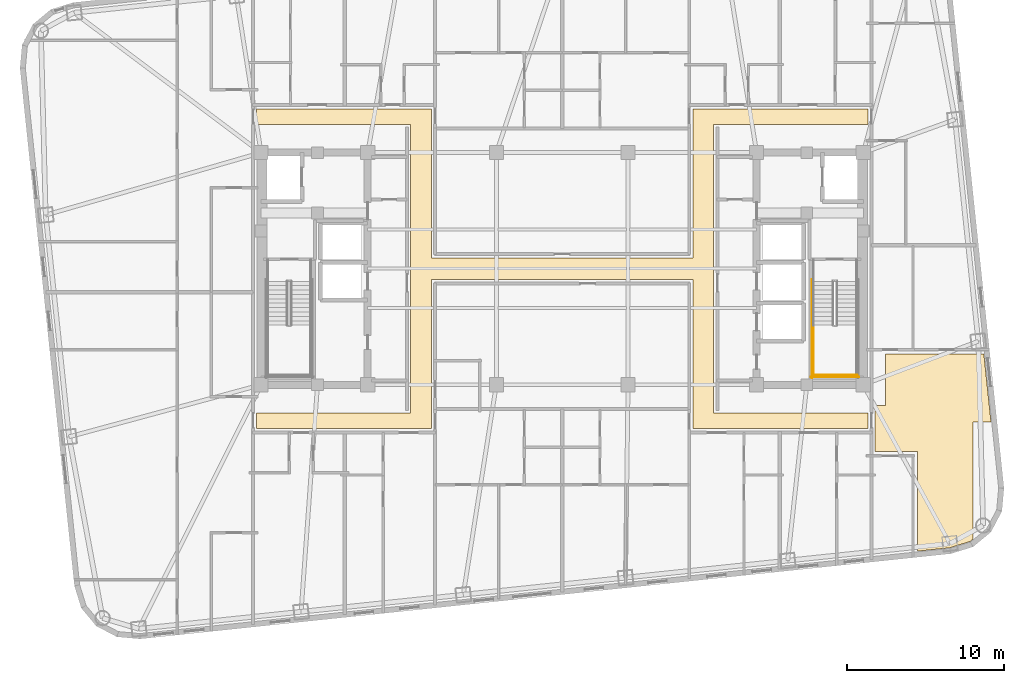
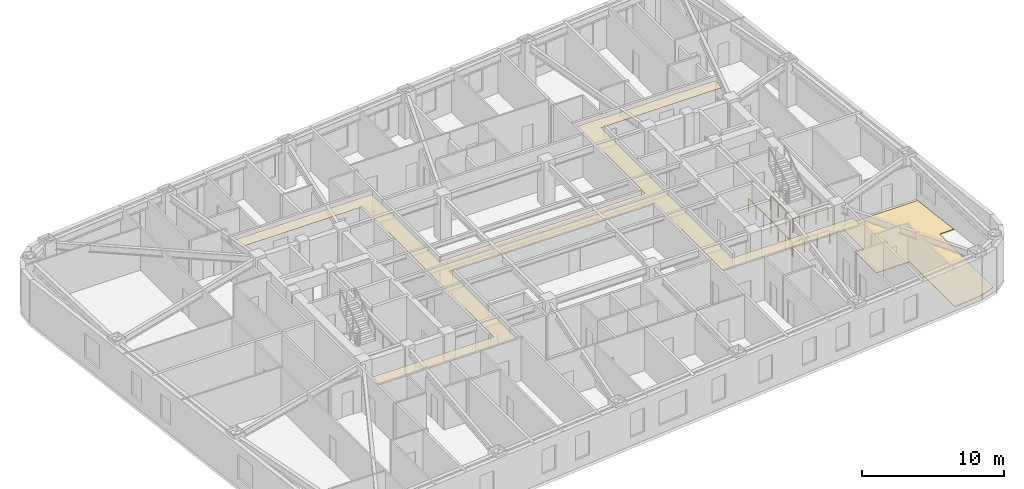
# One storey, part 11 of 12: 4 railings, 2 coverings.
"""IFC4 building model written with IfcOpenShell, lengths in metres."""

from ifc_helpers import new_model, si_unit, direction, frame, origin, origin_2d, place, context, subcontext, project, spatial, polyline, circle, outline, extrude, material, layer, layer_set, type_object, element, save


model = new_model("IFC4")

# Units and contexts
model_context = context("Model", 3, precision=1e-05, world=origin(), true_north=direction((0.0, 1.0)))
body_context = subcontext(model_context, "Body", "Model", "MODEL_VIEW")
ifc_project = project(units=[si_unit("LENGTHUNIT", "METRE"), si_unit("AREAUNIT", "SQUARE_METRE"), si_unit("VOLUMEUNIT", "CUBIC_METRE"), si_unit("PLANEANGLEUNIT", "RADIAN"), si_unit("MASSUNIT", "GRAM", prefix="KILO")], contexts=[model_context])

# Site, building, storey
site_placement = place(None, origin())
site = spatial("IfcSite", under=ifc_project, at=site_placement, CompositionType="ELEMENT")
building_placement = place(site_placement, origin())
building = spatial("IfcBuilding", under=site, at=building_placement, Name="Voryun Gate Residences", CompositionType="ELEMENT")
storey_placement = place(building_placement, frame((0.0, 0.0, 159.89990234375)))
storey = spatial("IfcBuildingStorey", under=building, at=storey_placement, Name="L39", CompositionType="ELEMENT", Elevation=159.89990234375)

# Coverings
ifc_material_1 = material(Name="Gypsum acoustic ceiling")
ifc_layer_1 = layer(ifc_material_1, 0.02490234375, Name="COV_CEILING_ACOUSTIC")
ifc_layer_set_1 = layer_set([ifc_layer_1], Name="Gypsum acoustic ceiling")
covering_type_1 = type_object("IfcCoveringType", Name="COV_CEILING_ACOUSTIC", PredefinedType="CEILING", material=ifc_layer_set_1)
covering_1_placement = place(storey_placement, frame((0.0, 0.0, 3.400146484375)))
element("IfcCovering", 1, at=covering_1_placement, inside=storey, type_object=covering_type_1, Name="Acoustic ceiling CLG-L39-01", PredefinedType="CEILING", context=body_context, shape_type="SweptSolid", body=[
    extrude(outline(polyline([(-9.659912109375, 9.199951171875), (-19.489990234375, 9.199951171875), (-19.489990234375, 10.179931640625), (-8.340087890625, 10.179931640625), (-8.340087890625, 0.699951171875), (8.340087890625, 0.699951171875), (8.340087890625, 10.179931640625), (19.489990234375, 10.179931640625), (19.489990234375, 9.199951171875), (9.659912109375, 9.199951171875), (9.659912109375, -9.199951171875), (19.489990234375, -9.199951171875), (19.489990234375, -10.179931640625), (8.340087890625, -10.179931640625), (8.340087890625, -0.699951171875), (-8.340087890625, -0.699951171875), (-8.340087890625, -10.179931640625), (-19.489990234375, -10.179931640625), (-19.489990234375, -9.199951171875), (-9.659912109375, -9.199951171875), (-9.659912109375, 9.199951171875)])), origin(), (0.0, 0.0, 1.0), 0.02490234375),
])
ifc_material_2 = material(Name="Architectural oak flooring")
ifc_layer_2 = layer(ifc_material_2, 0.044921875, Name="COV_FLOOR_ONDOL_OAK")
ifc_layer_set_2 = layer_set([ifc_layer_2], Name="Architectural oak flooring")
covering_type_2 = type_object("IfcCoveringType", Name="COV_FLOOR_ONDOL_OAK", PredefinedType="FLOORING", material=ifc_layer_set_2)
covering_2_placement = place(storey_placement, origin())
element("IfcCovering", 2, at=covering_2_placement, inside=storey, type_object=covering_type_2, Name="Ondol oak floor FLR-L39-01", PredefinedType="FLOORING", context=body_context, shape_type="SweptSolid", body=[
    extrude(outline(polyline([(22.64990234375, -18.010009765625), (22.64990234375, -11.658935546875), (19.93994140625, -11.658935546875), (19.93994140625, -8.719970703125), (20.6201171875, -8.719970703125), (20.6201171875, -5.43994140625), (26.887451171875, -5.43994140625), (27.34375, -9.780029296875), (26.179931640625, -9.780029296875), (26.179931640625, -17.25390625), (26.01953125, -17.387451171875), (24.71240234375, -17.79345703125), (22.64990234375, -18.010009765625)])), origin(), (0.0, 0.0, 1.0), 0.045166015625),
])

# Railings
ifc_material_3 = material(Name="Painted steel", Category="steel")
railing_type = type_object("IfcRailingType", Name="RAIL_STAIR_GUARD_1200", PredefinedType="GUARDRAIL", material=ifc_material_3)
railing_1_placement = place(storey_placement, frame((16.02490234375, -3.60009765625, 1.9501953125)))
element("IfcRailing", 3, at=railing_1_placement, inside=storey, type_object=railing_type, Name="L39 ST-E1 stair guard 3", PredefinedType="GUARDRAIL", context=body_context, shape_type="SweptSolid", body=[
    extrude(circle(Radius=0.02392578125, at=origin_2d()), frame((0.0, 0.0, 1.17578125), z_axis=(0.0, -1.0, 0.0), x_axis=(1.0, 0.0, 0.0)), (0.0, 0.0, 1.0), 3.25),
    extrude(circle(Radius=0.02099609375, at=origin_2d()), origin(), (0.0, 0.0, 1.0), 1.15185546875),
    extrude(circle(Radius=0.02099609375, at=origin_2d()), frame((0.0, -1.083251953125, 0.0)), (0.0, 0.0, 1.0), 1.15185546875),
    extrude(circle(Radius=0.02099609375, at=origin_2d()), frame((0.0, -2.166748046875, 0.0)), (0.0, 0.0, 1.0), 1.15185546875),
    extrude(circle(Radius=0.02099609375, at=origin_2d()), frame((0.0, -3.25, 0.0)), (0.0, 0.0, 1.0), 1.15185546875),
])
railing_2_placement = place(storey_placement, frame((15.97509765625, -6.800048828125, 1.9501953125)))
element("IfcRailing", 4, at=railing_2_placement, inside=storey, type_object=railing_type, Name="L39 ST-E1 stair guard 5", PredefinedType="GUARDRAIL", context=body_context, shape_type="SweptSolid", body=[
    extrude(circle(Radius=0.02392578125, at=origin_2d()), frame((0.0, 0.0, 1.17578125), z_axis=(1.0, 0.0, 0.0), x_axis=(0.0, 1.0, 0.0)), (0.0, 0.0, 1.0), 2.849853515625),
    extrude(circle(Radius=0.02099609375, at=origin_2d()), origin(), (0.0, 0.0, 1.0), 1.15185546875),
    extrude(circle(Radius=0.02099609375, at=origin_2d()), frame((0.949951171875, 0.0, 0.0)), (0.0, 0.0, 1.0), 1.15185546875),
    extrude(circle(Radius=0.02099609375, at=origin_2d()), frame((1.89990234375, 0.0, 0.0)), (0.0, 0.0, 1.0), 1.15185546875),
    extrude(circle(Radius=0.02099609375, at=origin_2d()), frame((2.849853515625, 0.0, 0.0)), (0.0, 0.0, 1.0), 1.15185546875),
])
railing_3_placement = place(storey_placement, frame((15.925048828125, -0.699951171875, 0.0)))
element("IfcRailing", 5, at=railing_3_placement, inside=storey, type_object=railing_type, Name="L39 ST-E1 stair guard 10", PredefinedType="GUARDRAIL", context=body_context, shape_type="SweptSolid", body=[
    extrude(circle(Radius=0.02392578125, at=origin_2d()), frame((0.0, 0.0, 1.17578125), z_axis=(0.0, -1.0, 0.0), x_axis=(1.0, 0.0, 0.0)), (0.0, 0.0, 1.0), 6.25),
    extrude(circle(Radius=0.02099609375, at=origin_2d()), origin(), (0.0, 0.0, 1.0), 1.15185546875),
    extrude(circle(Radius=0.02099609375, at=origin_2d()), frame((0.0, -1.041748046875, 0.0)), (0.0, 0.0, 1.0), 1.15185546875),
    extrude(circle(Radius=0.02099609375, at=origin_2d()), frame((0.0, -2.083251953125, 0.0)), (0.0, 0.0, 1.0), 1.15185546875),
    extrude(circle(Radius=0.02099609375, at=origin_2d()), frame((0.0, -3.125, 0.0)), (0.0, 0.0, 1.0), 1.15185546875),
    extrude(circle(Radius=0.02099609375, at=origin_2d()), frame((0.0, -4.166748046875, 0.0)), (0.0, 0.0, 1.0), 1.15185546875),
    extrude(circle(Radius=0.02099609375, at=origin_2d()), frame((0.0, -5.208251953125, 0.0)), (0.0, 0.0, 1.0), 1.15185546875),
    extrude(circle(Radius=0.02099609375, at=origin_2d()), frame((0.0, -6.25, 0.0)), (0.0, 0.0, 1.0), 1.15185546875),
])
railing_4_placement = place(storey_placement, frame((15.875, -6.89990234375, 0.0)))
element("IfcRailing", 6, at=railing_4_placement, inside=storey, type_object=railing_type, Name="L39 ST-E1 stair guard 12", PredefinedType="GUARDRAIL", context=body_context, shape_type="SweptSolid", body=[
    extrude(circle(Radius=0.02392578125, at=origin_2d()), frame((0.0, 0.0, 1.17578125), z_axis=(1.0, 0.0, 0.0), x_axis=(0.0, 1.0, 0.0)), (0.0, 0.0, 1.0), 3.050048828125),
    extrude(circle(Radius=0.02099609375, at=origin_2d()), origin(), (0.0, 0.0, 1.0), 1.15185546875),
    extrude(circle(Radius=0.02099609375, at=origin_2d()), frame((1.0166015625, 0.0, 0.0)), (0.0, 0.0, 1.0), 1.15185546875),
    extrude(circle(Radius=0.02099609375, at=origin_2d()), frame((2.033447265625, 0.0, 0.0)), (0.0, 0.0, 1.0), 1.15185546875),
    extrude(circle(Radius=0.02099609375, at=origin_2d()), frame((3.050048828125, 0.0, 0.0)), (0.0, 0.0, 1.0), 1.15185546875),
])

save(model, "model.ifc")
